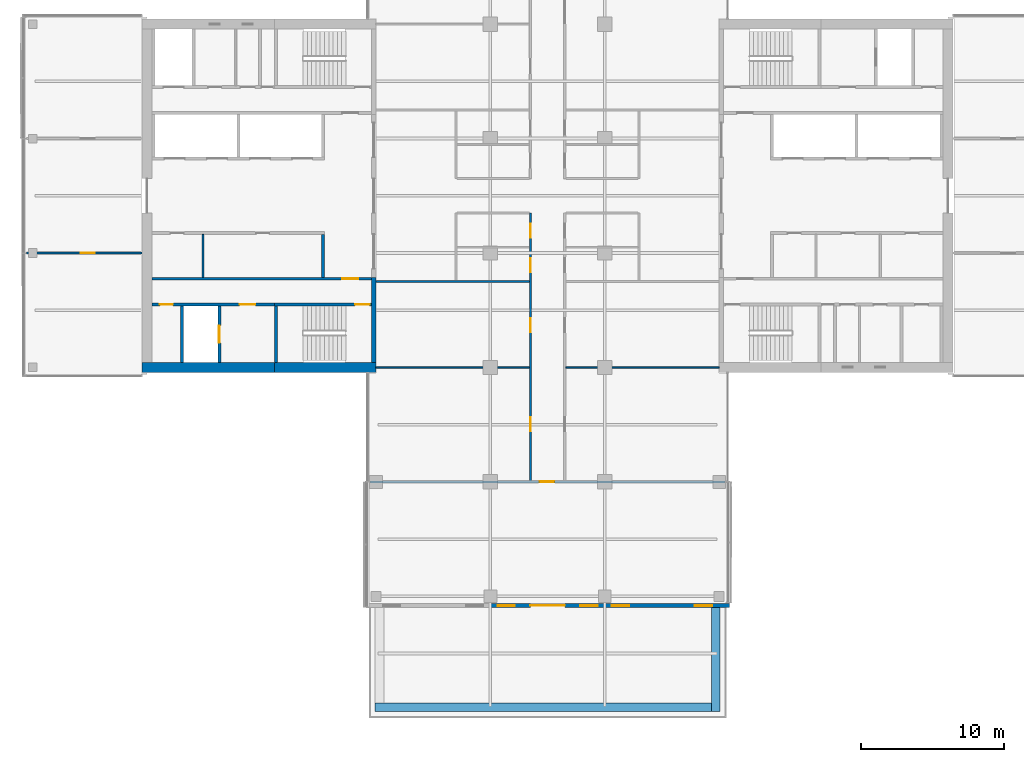
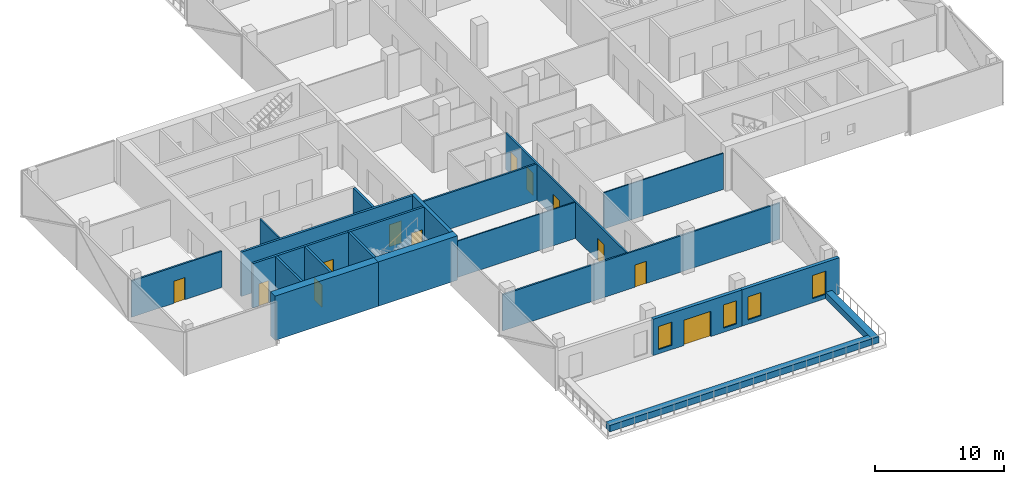
# One storey, part 15 of 24: 21 walls, 12 doors, 4 windows, 16 openings.
"""IFC4 building model written with IfcOpenShell, lengths in metres."""

from ifc_helpers import new_model, si_unit, direction, frame, frame_2d, origin, place, context, subcontext, project, spatial, rectangle, extrude, material, layer, layer_set, constituent, constituent_set, type_object, element, fill, save


model = new_model("IFC4")

# Units and contexts
model_context = context("Model", 3, precision=1e-05, world=origin(), true_north=direction((0.0, 1.0)))
body_context = subcontext(model_context, "Body", "Model", "MODEL_VIEW")
ifc_project = project(units=[si_unit("LENGTHUNIT", "METRE"), si_unit("AREAUNIT", "SQUARE_METRE"), si_unit("VOLUMEUNIT", "CUBIC_METRE"), si_unit("PLANEANGLEUNIT", "RADIAN"), si_unit("MASSUNIT", "GRAM", prefix="KILO")], contexts=[model_context])

# Site, building, storey
site_placement = place(None, origin())
site = spatial("IfcSite", under=ifc_project, at=site_placement, CompositionType="ELEMENT")
building_placement = place(site_placement, origin())
building = spatial("IfcBuilding", under=site, at=building_placement, Name="Crosswind Convention Tower", CompositionType="ELEMENT")
storey_placement = place(building_placement, frame((0.0, 0.0, 112.699951171875)))
storey = spatial("IfcBuildingStorey", under=building, at=storey_placement, Name="L22", CompositionType="ELEMENT", Elevation=112.699951171875)

# Walls
ifc_material_1 = material(Name="Concrete C50/60", Category="concrete")
ifc_layer_1 = layer(ifc_material_1, 0.300048828125)
ifc_layer_set_1 = layer_set([ifc_layer_1], Name="Concrete C50/60")
wall_type_1 = type_object("IfcWallType", Name="Concrete inner core wall 300", PredefinedType="SHEAR", material=ifc_layer_set_1)
wall_1_placement = place(storey_placement, frame((112.85009765625, 94.300048828125, 0.0), z_axis=(0.0, 0.0, 1.0), x_axis=(0.0, -1.0, 0.0)))
element("IfcWall", 1, at=wall_1_placement, inside=storey, type_object=wall_type_1, Name="Wall EP W L22", PredefinedType="SHEAR", context=body_context, shape_type="SweptSolid", body=[
    extrude(rectangle(XDim=5.949951171875, YDim=0.300048828125, at=frame_2d((2.97509765625, 0.0))), origin(), (0.0, 0.0, 1.0), 4.199951171875),
])
ifc_layer_2 = layer(ifc_material_1, 0.199951171875)
ifc_layer_set_2 = layer_set([ifc_layer_2], Name="Concrete C50/60")
wall_type_2 = type_object("IfcWallType", Name="Concrete shaft and stair wall 200", PredefinedType="SHEAR", material=ifc_layer_set_2)
wall_2_placement = place(storey_placement, frame((109.300048828125, 97.300048828125, 0.0), z_axis=(0.0, 0.0, 1.0), x_axis=(0.0, -1.0, 0.0)))
element("IfcWall", 2, at=wall_2_placement, inside=storey, type_object=wall_type_2, Name="Wall RPEND W L22", PredefinedType="SHEAR", context=body_context, shape_type="SweptSolid", body=[
    extrude(rectangle(XDim=3.0, YDim=0.199951171875, at=frame_2d((1.5, 0.0))), origin(), (0.0, 0.0, 1.0), 4.199951171875),
])

# Wall, opening, door
wall_3_placement = place(storey_placement, frame((112.699951171875, 94.199951171875, 0.0), z_axis=(0.0, 0.0, 1.0), x_axis=(-1.0, 0.0, 0.0)))
wall_3 = element("IfcWall", 3, at=wall_3_placement, inside=storey, type_object=wall_type_2, Name="Wall HP W L22", PredefinedType="SHEAR", context=body_context, shape_type="SweptSolid", body=[
    extrude(rectangle(XDim=15.349853515625, YDim=0.199951171875, at=frame_2d((7.6748046875, 0.0))), origin(), (0.0, 0.0, 1.0), 4.199951171875),
])
opening_1_placement = place(wall_3_placement, frame((0.949951171875, 0.0, 0.0)))
opening_1 = element("IfcOpeningElement", 4, at=opening_1_placement, cuts=wall_3, Name="Opening D104", PredefinedType="OPENING", context=body_context, shape_type="SweptSolid", body=[
    extrude(rectangle(XDim=1.10009765625, YDim=2.10009765625, at=frame_2d((0.550048828125, 1.050048828125))), frame((0.0, 0.10986328125, 0.0), z_axis=(0.0, -1.0, 0.0), x_axis=(1.0, 0.0, 0.0)), (0.0, 0.0, 1.0), 0.219970703125),
])
ifc_material_2 = material(Name="Steel fire door", Category="steel")
door_type_1 = type_object("IfcDoorType", Name="Fire-rated single door 1100x2100", OperationType="NOTDEFINED", PredefinedType="DOOR", material=ifc_material_2)
door_1_placement = place(opening_1_placement, origin())
door_1 = element("IfcDoor", 5, at=door_1_placement, inside=storey, type_object=door_type_1, Name="Corridor door L22", ObjectType="D104", OperationType="SINGLE_SWING_LEFT", OverallHeight=2.10009765625, OverallWidth=1.10009765625, PredefinedType="DOOR", context=body_context, shape_type="SweptSolid", body=[
    extrude(rectangle(XDim=1.10009765625, YDim=2.10009765625, at=frame_2d((0.550048828125, 1.050048828125))), frame((0.0, 0.02490234375, 0.0), z_axis=(0.0, -1.0, 0.0), x_axis=(1.0, 0.0, 0.0)), (0.0, 0.0, 1.0), 0.050048828125),
])
fill(opening_1, door_1)

# Wall
wall_4_placement = place(storey_placement, frame((106.0, 92.300048828125, 0.0), z_axis=(0.0, 0.0, 1.0), x_axis=(0.0, -1.0, 0.0)))
element("IfcWall", 6, at=wall_4_placement, inside=storey, type_object=wall_type_2, Name="Wall PSE W L22", PredefinedType="SHEAR", context=body_context, shape_type="SweptSolid", body=[
    extrude(rectangle(XDim=3.949951171875, YDim=0.199951171875, at=frame_2d((1.97509765625, 0.0))), origin(), (0.0, 0.0, 1.0), 4.199951171875),
])

# Wall, opening, door
wall_5_placement = place(storey_placement, frame((102.050048828125, 92.300048828125, 0.0), z_axis=(0.0, 0.0, 1.0), x_axis=(0.0, -1.0, 0.0)))
wall_5 = element("IfcWall", 7, at=wall_5_placement, inside=storey, type_object=wall_type_2, Name="Wall PFLW W L22", PredefinedType="SHEAR", context=body_context, shape_type="SweptSolid", body=[
    extrude(rectangle(XDim=3.949951171875, YDim=0.199951171875, at=frame_2d((1.97509765625, 0.0))), origin(), (0.0, 0.0, 1.0), 4.199951171875),
])
opening_2_placement = place(wall_5_placement, frame((1.375, 0.0, 0.0)))
opening_2 = element("IfcOpeningElement", 8, at=opening_2_placement, cuts=wall_5, Name="Opening LD1", PredefinedType="OPENING", context=body_context, shape_type="SweptSolid", body=[
    extrude(rectangle(XDim=1.199951171875, YDim=2.10009765625, at=frame_2d((0.60009765625, 1.050048828125))), frame((0.0, 0.10986328125, 0.0), z_axis=(0.0, -1.0, 0.0), x_axis=(1.0, 0.0, 0.0)), (0.0, 0.0, 1.0), 0.219970703125),
])
ifc_material_3 = material(Name="Stainless steel", Category="steel")
door_type_2 = type_object("IfcDoorType", Name="Lift landing door 1200x2100", OperationType="DOUBLE_DOOR_SLIDING", PredefinedType="DOOR", material=ifc_material_3)
door_2_placement = place(opening_2_placement, origin())
door_2 = element("IfcDoor", 9, at=door_2_placement, inside=storey, type_object=door_type_2, Name="Landing door FF2 L22", ObjectType="LD1", OperationType="DOUBLE_DOOR_SLIDING", OverallHeight=2.10009765625, OverallWidth=1.199951171875, PredefinedType="DOOR", context=body_context, shape_type="SweptSolid", body=[
    extrude(rectangle(XDim=1.199951171875, YDim=2.10009765625, at=frame_2d((0.60009765625, 1.050048828125))), frame((0.0, 0.02490234375, 0.0), z_axis=(0.0, -1.0, 0.0), x_axis=(1.0, 0.0, 0.0)), (0.0, 0.0, 1.0), 0.050048828125),
])
fill(opening_2, door_2)

# Wall
wall_6_placement = place(storey_placement, frame((99.449951171875, 92.300048828125, 0.0), z_axis=(0.0, 0.0, 1.0), x_axis=(0.0, -1.0, 0.0)))
element("IfcWall", 10, at=wall_6_placement, inside=storey, type_object=wall_type_2, Name="Wall PFSE W L22", PredefinedType="SHEAR", context=body_context, shape_type="SweptSolid", body=[
    extrude(rectangle(XDim=3.949951171875, YDim=0.199951171875, at=frame_2d((1.97509765625, 0.0))), origin(), (0.0, 0.0, 1.0), 4.199951171875),
])

# Wall, opening, door
wall_7_placement = place(storey_placement, frame((112.699951171875, 92.39990234375, 0.0), z_axis=(0.0, 0.0, 1.0), x_axis=(-1.0, 0.0, 0.0)))
wall_7 = element("IfcWall", 11, at=wall_7_placement, inside=storey, type_object=wall_type_2, Name="Wall PCW W L22", PredefinedType="SHEAR", context=body_context, shape_type="SweptSolid", body=[
    extrude(rectangle(XDim=6.800048828125, YDim=0.199951171875, at=frame_2d((3.39990234375, 0.0))), origin(), (0.0, 0.0, 1.0), 4.199951171875),
])
opening_3_placement = place(wall_7_placement, frame((0.14990234375, 0.0, 0.0)))
opening_3 = element("IfcOpeningElement", 12, at=opening_3_placement, cuts=wall_7, Name="Opening D103", PredefinedType="OPENING", context=body_context, shape_type="SweptSolid", body=[
    extrude(rectangle(XDim=1.0, YDim=2.10009765625, at=frame_2d((0.5, 1.050048828125))), frame((0.0, 0.10986328125, 0.0), z_axis=(0.0, -1.0, 0.0), x_axis=(1.0, 0.0, 0.0)), (0.0, 0.0, 1.0), 0.219970703125),
])
door_type_3 = type_object("IfcDoorType", Name="Fire-rated single door 1000x2100", OperationType="NOTDEFINED", PredefinedType="DOOR", material=ifc_material_2)
door_3_placement = place(opening_3_placement, origin())
door_3 = element("IfcDoor", 13, at=door_3_placement, inside=storey, type_object=door_type_3, Name="Stair ST3 door L22", ObjectType="D103", OperationType="SINGLE_SWING_LEFT", OverallHeight=2.10009765625, OverallWidth=1.0, PredefinedType="DOOR", context=body_context, shape_type="SweptSolid", body=[
    extrude(rectangle(XDim=1.0, YDim=2.10009765625, at=frame_2d((0.5, 1.050048828125))), frame((0.0, 0.02490234375, 0.0), z_axis=(0.0, -1.0, 0.0), x_axis=(1.0, 0.0, 0.0)), (0.0, 0.0, 1.0), 0.050048828125),
])
fill(opening_3, door_3)

# Wall, openings, doors
wall_8_placement = place(storey_placement, frame((105.89990234375, 92.39990234375, 0.0), z_axis=(0.0, 0.0, 1.0), x_axis=(-1.0, 0.0, 0.0)))
wall_8 = element("IfcWall", 14, at=wall_8_placement, inside=storey, type_object=wall_type_2, Name="Wall PCX W L22", PredefinedType="SHEAR", context=body_context, shape_type="SweptSolid", body=[
    extrude(rectangle(XDim=8.5498046875, YDim=0.199951171875, at=frame_2d((4.27490234375, 0.0))), origin(), (0.0, 0.0, 1.0), 4.199951171875),
])
opening_4_placement = place(wall_8_placement, frame((1.324951171875, 0.0, 0.0)))
opening_4 = element("IfcOpeningElement", 15, at=opening_4_placement, cuts=wall_8, Name="Opening D104", PredefinedType="OPENING", context=body_context, shape_type="SweptSolid", body=[
    extrude(rectangle(XDim=1.10009765625, YDim=2.10009765625, at=frame_2d((0.550048828125, 1.050048828125))), frame((0.0, 0.10986328125, 0.0), z_axis=(0.0, -1.0, 0.0), x_axis=(1.0, 0.0, 0.0)), (0.0, 0.0, 1.0), 0.219970703125),
])
opening_5_placement = place(wall_8_placement, frame((7.10009765625, 0.0, 0.0)))
opening_5 = element("IfcOpeningElement", 16, at=opening_5_placement, cuts=wall_8, Name="Opening D106", PredefinedType="OPENING", context=body_context, shape_type="SweptSolid", body=[
    extrude(rectangle(XDim=0.89990234375, YDim=2.10009765625, at=frame_2d((0.449951171875, 1.050048828125))), frame((0.0, 0.10986328125, 0.0), z_axis=(0.0, -1.0, 0.0), x_axis=(1.0, 0.0, 0.0)), (0.0, 0.0, 1.0), 0.219970703125),
])
door_4_placement = place(opening_4_placement, origin())
door_4 = element("IfcDoor", 17, at=door_4_placement, inside=storey, type_object=door_type_1, Name="Fire-fighting lobby FF2 door L22", ObjectType="D104", OperationType="SINGLE_SWING_RIGHT", OverallHeight=2.10009765625, OverallWidth=1.10009765625, PredefinedType="DOOR", context=body_context, shape_type="SweptSolid", body=[
    extrude(rectangle(XDim=1.10009765625, YDim=2.10009765625, at=frame_2d((0.550048828125, 1.050048828125))), frame((0.0, 0.02490234375, 0.0), z_axis=(0.0, -1.0, 0.0), x_axis=(1.0, 0.0, 0.0)), (0.0, 0.0, 1.0), 0.050048828125),
])
fill(opening_4, door_4)
ifc_material_4 = material(Name="Timber door", Category="wood")
door_type_4 = type_object("IfcDoorType", Name="Single leaf door 900x2100", OperationType="NOTDEFINED", PredefinedType="DOOR", material=ifc_material_4)
door_5_placement = place(opening_5_placement, origin())
door_5 = element("IfcDoor", 18, at=door_5_placement, inside=storey, type_object=door_type_4, Name="Door to comms room L22", ObjectType="D106", OperationType="SINGLE_SWING_RIGHT", OverallHeight=2.10009765625, OverallWidth=0.89990234375, PredefinedType="DOOR", context=body_context, shape_type="SweptSolid", body=[
    extrude(rectangle(XDim=0.89990234375, YDim=2.10009765625, at=frame_2d((0.449951171875, 1.050048828125))), frame((0.0, 0.02490234375, 0.0), z_axis=(0.0, -1.0, 0.0), x_axis=(1.0, 0.0, 0.0)), (0.0, 0.0, 1.0), 0.050048828125),
])
fill(opening_5, door_5)

# Walls
ifc_material_5 = material(Name="Gypsum plasterboard partition", Category="gypsum")
ifc_layer_3 = layer(ifc_material_5, 0.125)
ifc_layer_set_3 = layer_set([ifc_layer_3], Name="Drywall partition wall 125")
wall_type_3 = type_object("IfcWallType", Name="Drywall partition wall 125", PredefinedType="PARTITIONING", material=ifc_layer_set_3)
wall_9_placement = place(storey_placement, frame((100.905029296875, 97.300048828125, 0.0), z_axis=(0.0, 0.0, 1.0), x_axis=(0.0, -1.0, 0.0)))
element("IfcWall", 19, at=wall_9_placement, inside=storey, type_object=wall_type_3, Name="Wall RPP1 W L22", PredefinedType="PARTITIONING", context=body_context, shape_type="SweptSolid", body=[
    extrude(rectangle(XDim=3.0, YDim=0.125, at=frame_2d((1.5, 0.0))), origin(), (0.0, 0.0, 1.0), 4.199951171875),
])
ifc_material_6 = material(Name="Plasterboard partition", Category="gypsum")
ifc_layer_4 = layer(ifc_material_6, 0.10009765625)
ifc_layer_set_4 = layer_set([ifc_layer_4], Name="PARTITION 100 METAL STUD")
wall_type_4 = type_object("IfcWallType", Name="PARTITION 100 METAL STUD", PredefinedType="PARTITIONING", material=ifc_layer_set_4)
for number, where, z_axis, x_axis, name in (
    (20, (113.0, 88.0, 0.0), (0.0, 0.0, 1.0), (1.0, 0.0, 0.0), "Partition wall WT40"),
    (21, (126.27490234375, 88.0, 0.0), (0.0, 0.0, 1.0), (1.0, 0.0, 0.0), "Partition wall WT40"),
):
    element("IfcWall", number, at=place(storey_placement, frame(where, z_axis=z_axis, x_axis=x_axis)), inside=storey, type_object=wall_type_4, Name=name, PredefinedType="PARTITIONING", context=body_context, shape_type="SweptSolid", body=[
        extrude(rectangle(XDim=10.72509765625, YDim=0.10009765625, at=frame_2d((5.362548828125, 0.0))), origin(), (0.0, 0.0, 1.0), 3.4365234375),
    ])
ifc_material_7 = material(Name="Concrete C30/37", Category="concrete")
ifc_layer_5 = layer(ifc_material_7, 0.60009765625)
ifc_layer_set_5 = layer_set([ifc_layer_5], Name="Concrete C30/37")
wall_type_5 = type_object("IfcWallType", Name="PLANTER BOX WALL 600", PredefinedType="SOLIDWALL", material=ifc_layer_set_5)
wall_10_placement = place(storey_placement, frame((136.75, 71.199951171875, 0.0), z_axis=(0.0, 0.0, 1.0), x_axis=(0.0, -1.0, 0.0)))
element("IfcWall", 22, at=wall_10_placement, inside=storey, type_object=wall_type_5, Name="PLANTER L22 S 1", PredefinedType="SOLIDWALL", context=body_context, shape_type="SweptSolid", body=[
    extrude(rectangle(XDim=7.25, YDim=0.60009765625, at=frame_2d((3.625, 0.0))), origin(), (0.0, 0.0, 1.0), 0.60009765625),
])
wall_11_placement = place(storey_placement, frame((136.449951171875, 64.25, 0.0), z_axis=(0.0, 0.0, 1.0), x_axis=(-1.0, 0.0, 0.0)))
element("IfcWall", 23, at=wall_11_placement, inside=storey, type_object=wall_type_5, Name="PLANTER L22 S 2", PredefinedType="SOLIDWALL", context=body_context, shape_type="SweptSolid", body=[
    extrude(rectangle(XDim=23.5, YDim=0.60009765625, at=frame_2d((11.75, 0.0))), origin(), (0.0, 0.0, 1.0), 0.60009765625),
])

# Wall, openings, doors
ifc_material_8 = material(Name="Fire-board partition with mineral wool", Category="gypsum")
ifc_layer_6 = layer(ifc_material_8, 0.14990234375)
ifc_layer_set_6 = layer_set([ifc_layer_6], Name="TENANCY WALL 150 TWO-HOUR BOARD")
wall_type_6 = type_object("IfcWallType", Name="TENANCY WALL 150 TWO-HOUR BOARD", PredefinedType="PARTITIONING", material=ifc_layer_set_6)
wall_12_placement = place(storey_placement, frame((123.800048828125, 80.074951171875, 0.0), z_axis=(0.0, 0.0, 1.0), x_axis=(0.0, 1.0, 0.0)))
wall_12 = element("IfcWall", 24, at=wall_12_placement, inside=storey, type_object=wall_type_6, Name="Tenancy wall WT41", PredefinedType="PARTITIONING", context=body_context, shape_type="SweptSolid", body=[
    extrude(rectangle(XDim=18.72509765625, YDim=0.14990234375, at=frame_2d((9.362548828125, 0.0))), origin(), (0.0, 0.0, 1.0), 3.4365234375),
])
opening_6_placement = place(wall_12_placement, frame((16.97509765625, 0.0, 0.0)))
opening_6 = element("IfcOpeningElement", 25, at=opening_6_placement, cuts=wall_12, Name="Opening L22-61", PredefinedType="OPENING", context=body_context, shape_type="SweptSolid", body=[
    extrude(rectangle(XDim=1.0, YDim=2.10009765625, at=frame_2d((0.5, 1.050048828125))), frame((0.0, 0.0849609375, 0.0), z_axis=(0.0, -1.0, 0.0), x_axis=(1.0, 0.0, 0.0)), (0.0, 0.0, 1.0), 0.169921875),
])
opening_7_placement = place(wall_12_placement, frame((14.574951171875, 0.0, 0.0)))
opening_7 = element("IfcOpeningElement", 26, at=opening_7_placement, cuts=wall_12, Name="Opening L22-62", PredefinedType="OPENING", context=body_context, shape_type="SweptSolid", body=[
    extrude(rectangle(XDim=1.0, YDim=2.10009765625, at=frame_2d((0.5, 1.050048828125))), frame((0.0, 0.0849609375, 0.0), z_axis=(0.0, -1.0, 0.0), x_axis=(1.0, 0.0, 0.0)), (0.0, 0.0, 1.0), 0.169921875),
])
opening_8_placement = place(wall_12_placement, frame((10.375, 0.0, 0.0)))
opening_8 = element("IfcOpeningElement", 27, at=opening_8_placement, cuts=wall_12, Name="Opening L22-63", PredefinedType="OPENING", context=body_context, shape_type="SweptSolid", body=[
    extrude(rectangle(XDim=1.0, YDim=2.10009765625, at=frame_2d((0.5, 1.050048828125))), frame((0.0, 0.0849609375, 0.0), z_axis=(0.0, -1.0, 0.0), x_axis=(1.0, 0.0, 0.0)), (0.0, 0.0, 1.0), 0.169921875),
])
opening_9_placement = place(wall_12_placement, frame((3.449951171875, 0.0, 0.0)))
opening_9 = element("IfcOpeningElement", 28, at=opening_9_placement, cuts=wall_12, Name="Opening L22-64", PredefinedType="OPENING", context=body_context, shape_type="SweptSolid", body=[
    extrude(rectangle(XDim=1.0, YDim=2.10009765625, at=frame_2d((0.5, 1.050048828125))), frame((0.0, 0.0849609375, 0.0), z_axis=(0.0, -1.0, 0.0), x_axis=(1.0, 0.0, 0.0)), (0.0, 0.0, 1.0), 0.169921875),
])
ifc_material_9 = material(Name="Timber fire door", Category="wood")
door_type_5 = type_object("IfcDoorType", Name="TENANCY ENTRANCE DOOR 1000X2100 FD30S", OperationType="NOTDEFINED", PredefinedType="DOOR", material=ifc_material_9)
door_6_placement = place(opening_6_placement, origin())
door_6 = element("IfcDoor", 29, at=door_6_placement, inside=storey, type_object=door_type_5, Name="Door L22-61", ObjectType="D41", OperationType="SINGLE_SWING_LEFT", OverallHeight=2.10009765625, OverallWidth=1.0, PredefinedType="DOOR", context=body_context, shape_type="SweptSolid", body=[
    extrude(rectangle(XDim=1.0, YDim=2.10009765625, at=frame_2d((0.5, 1.050048828125))), frame((0.0, 0.02490234375, 0.0), z_axis=(0.0, -1.0, 0.0), x_axis=(1.0, 0.0, 0.0)), (0.0, 0.0, 1.0), 0.050048828125),
])
fill(opening_6, door_6)
door_7_placement = place(opening_7_placement, origin())
door_7 = element("IfcDoor", 30, at=door_7_placement, inside=storey, type_object=door_type_5, Name="Door L22-62", ObjectType="D41", OperationType="SINGLE_SWING_LEFT", OverallHeight=2.10009765625, OverallWidth=1.0, PredefinedType="DOOR", context=body_context, shape_type="SweptSolid", body=[
    extrude(rectangle(XDim=1.0, YDim=2.10009765625, at=frame_2d((0.5, 1.050048828125))), frame((0.0, 0.02490234375, 0.0), z_axis=(0.0, -1.0, 0.0), x_axis=(1.0, 0.0, 0.0)), (0.0, 0.0, 1.0), 0.050048828125),
])
fill(opening_7, door_7)
door_8_placement = place(opening_8_placement, origin())
door_8 = element("IfcDoor", 31, at=door_8_placement, inside=storey, type_object=door_type_5, Name="Door L22-63", ObjectType="D41", OperationType="SINGLE_SWING_LEFT", OverallHeight=2.10009765625, OverallWidth=1.0, PredefinedType="DOOR", context=body_context, shape_type="SweptSolid", body=[
    extrude(rectangle(XDim=1.0, YDim=2.10009765625, at=frame_2d((0.5, 1.050048828125))), frame((0.0, 0.02490234375, 0.0), z_axis=(0.0, -1.0, 0.0), x_axis=(1.0, 0.0, 0.0)), (0.0, 0.0, 1.0), 0.050048828125),
])
fill(opening_8, door_8)
door_9_placement = place(opening_9_placement, origin())
door_9 = element("IfcDoor", 32, at=door_9_placement, inside=storey, type_object=door_type_5, Name="Door L22-64", ObjectType="D41", OperationType="SINGLE_SWING_RIGHT", OverallHeight=2.10009765625, OverallWidth=1.0, PredefinedType="DOOR", context=body_context, shape_type="SweptSolid", body=[
    extrude(rectangle(XDim=1.0, YDim=2.10009765625, at=frame_2d((0.5, 1.050048828125))), frame((0.0, 0.02490234375, 0.0), z_axis=(0.0, -1.0, 0.0), x_axis=(1.0, 0.0, 0.0)), (0.0, 0.0, 1.0), 0.050048828125),
])
fill(opening_9, door_9)

# Wall, opening, door
wall_13_placement = place(storey_placement, frame((112.580078125, 80.0, 0.0), z_axis=(0.0, 0.0, 1.0), x_axis=(1.0, 0.0, 0.0)))
wall_13 = element("IfcWall", 33, at=wall_13_placement, inside=storey, type_object=wall_type_6, Name="Tenancy wall WT41", PredefinedType="PARTITIONING", context=body_context, shape_type="SweptSolid", body=[
    extrude(rectangle(XDim=24.83984375, YDim=0.14990234375, at=frame_2d((12.419921875, 0.0))), origin(), (0.0, 0.0, 1.0), 3.4365234375),
])
opening_10_placement = place(wall_13_placement, frame((11.8701171875, 0.0, 0.0)))
opening_10 = element("IfcOpeningElement", 34, at=opening_10_placement, cuts=wall_13, Name="Opening L22-67", PredefinedType="OPENING", context=body_context, shape_type="SweptSolid", body=[
    extrude(rectangle(XDim=1.0, YDim=2.10009765625, at=frame_2d((0.5, 1.050048828125))), frame((0.0, 0.0849609375, 0.0), z_axis=(0.0, -1.0, 0.0), x_axis=(1.0, 0.0, 0.0)), (0.0, 0.0, 1.0), 0.169921875),
])
door_10_placement = place(opening_10_placement, frame((1.0, 0.0, 0.0), z_axis=(0.0, 0.0, 1.0), x_axis=(-1.0, 0.0, 0.0)))
door_10 = element("IfcDoor", 35, at=door_10_placement, inside=storey, type_object=door_type_5, Name="Door L22-67", ObjectType="D41", OperationType="SINGLE_SWING_RIGHT", OverallHeight=2.10009765625, OverallWidth=1.0, PredefinedType="DOOR", context=body_context, shape_type="SweptSolid", body=[
    extrude(rectangle(XDim=1.0, YDim=2.10009765625, at=frame_2d((0.5, 1.050048828125))), frame((0.0, 0.02490234375, 0.0), z_axis=(0.0, -1.0, 0.0), x_axis=(1.0, 0.0, 0.0)), (0.0, 0.0, 1.0), 0.050048828125),
])
fill(opening_10, door_10)

# Wall
wall_14_placement = place(storey_placement, frame((113.0, 94.0, 0.0), z_axis=(0.0, 0.0, 1.0), x_axis=(1.0, 0.0, 0.0)))
element("IfcWall", 36, at=wall_14_placement, inside=storey, type_object=wall_type_6, Name="Tenancy wall WT41", PredefinedType="PARTITIONING", context=body_context, shape_type="SweptSolid", body=[
    extrude(rectangle(XDim=10.72509765625, YDim=0.14990234375, at=frame_2d((5.362548828125, 0.0))), origin(), (0.0, 0.0, 1.0), 3.4365234375),
])

# Wall, opening, door
wall_15_placement = place(storey_placement, frame((88.580078125, 96.0, 0.0), z_axis=(0.0, 0.0, 1.0), x_axis=(1.0, 0.0, 0.0)))
wall_15 = element("IfcWall", 37, at=wall_15_placement, inside=storey, type_object=wall_type_6, Name="Tenancy wall WT41", PredefinedType="PARTITIONING", context=body_context, shape_type="SweptSolid", body=[
    extrude(rectangle(XDim=8.06982421875, YDim=0.14990234375, at=frame_2d((4.034912109375, 0.0))), origin(), (0.0, 0.0, 1.0), 3.4365234375),
])
opening_11_placement = place(wall_15_placement, frame((3.77001953125, 0.0, 0.0)))
opening_11 = element("IfcOpeningElement", 38, at=opening_11_placement, cuts=wall_15, Name="Opening L22-71", PredefinedType="OPENING", context=body_context, shape_type="SweptSolid", body=[
    extrude(rectangle(XDim=1.0, YDim=2.10009765625, at=frame_2d((0.5, 1.050048828125))), frame((0.0, 0.0849609375, 0.0), z_axis=(0.0, -1.0, 0.0), x_axis=(1.0, 0.0, 0.0)), (0.0, 0.0, 1.0), 0.169921875),
])
door_11_placement = place(opening_11_placement, frame((1.0, 0.0, 0.0), z_axis=(0.0, 0.0, 1.0), x_axis=(-1.0, 0.0, 0.0)))
door_11 = element("IfcDoor", 39, at=door_11_placement, inside=storey, type_object=door_type_5, Name="Door L22-71", ObjectType="D41", OperationType="SINGLE_SWING_RIGHT", OverallHeight=2.10009765625, OverallWidth=1.0, PredefinedType="DOOR", context=body_context, shape_type="SweptSolid", body=[
    extrude(rectangle(XDim=1.0, YDim=2.10009765625, at=frame_2d((0.5, 1.050048828125))), frame((0.0, 0.02490234375, 0.0), z_axis=(0.0, -1.0, 0.0), x_axis=(1.0, 0.0, 0.0)), (0.0, 0.0, 1.0), 0.050048828125),
])
fill(opening_11, door_11)

# Wall, openings, door, windows
ifc_material_10 = material(Name="Terracotta rainscreen", Category="ceramic")
ifc_layer_7 = layer(ifc_material_10, 0.02001953125)
ifc_material_11 = material(Name="Mineral wool insulation", Category="insulation")
ifc_layer_8 = layer(ifc_material_11, 0.10009765625)
ifc_material_12 = material(Name="Concrete blockwork", Category="masonry")
ifc_layer_9 = layer(ifc_material_12, 0.179931640625)
ifc_layer_set_7 = layer_set([ifc_layer_7, ifc_layer_8, ifc_layer_9], Name="TERRACOTTA INFILL WALL 300")
wall_type_7 = type_object("IfcWallType", Name="TERRACOTTA INFILL WALL 300", PredefinedType="SOLIDWALL", material=ifc_layer_set_7)
wall_16_placement = place(storey_placement, frame((121.0, 71.35009765625, 0.0), z_axis=(0.0, 0.0, 1.0), x_axis=(1.0, 0.0, 0.0)))
wall_16 = element("IfcWall", 40, at=wall_16_placement, inside=storey, type_object=wall_type_7, Name="Terrace front wall L22 S-TIP.1-2", PredefinedType="SOLIDWALL", context=body_context, shape_type="SweptSolid", body=[
    extrude(rectangle(XDim=8.0, YDim=0.300048828125, at=frame_2d((4.0, 0.0))), origin(), (0.0, 0.0, 1.0), 3.446533203125),
])
opening_12_placement = place(wall_16_placement, frame((2.800048828125, 0.0, 0.0)))
opening_12 = element("IfcOpeningElement", 41, at=opening_12_placement, cuts=wall_16, Name="Opening D140", PredefinedType="OPENING", context=body_context, shape_type="SweptSolid", body=[
    extrude(rectangle(XDim=2.39990234375, YDim=2.39990234375, at=frame_2d((1.199951171875, 1.199951171875))), frame((0.0, 0.159912109375, 0.0), z_axis=(0.0, -1.0, 0.0), x_axis=(1.0, 0.0, 0.0)), (0.0, 0.0, 1.0), 0.320068359375),
])
opening_13_placement = place(wall_16_placement, frame((0.5, 0.0, 0.39990234375)))
opening_13 = element("IfcOpeningElement", 42, at=opening_13_placement, cuts=wall_16, Name="Opening W10", PredefinedType="OPENING", context=body_context, shape_type="SweptSolid", body=[
    extrude(rectangle(XDim=1.199951171875, YDim=2.199951171875, at=frame_2d((0.60009765625, 1.10009765625))), frame((0.0, 0.159912109375, 0.0), z_axis=(0.0, -1.0, 0.0), x_axis=(1.0, 0.0, 0.0)), (0.0, 0.0, 1.0), 0.320068359375),
])
opening_14_placement = place(wall_16_placement, frame((6.300048828125, 0.0, 0.39990234375)))
opening_14 = element("IfcOpeningElement", 43, at=opening_14_placement, cuts=wall_16, Name="Opening W10", PredefinedType="OPENING", context=body_context, shape_type="SweptSolid", body=[
    extrude(rectangle(XDim=1.199951171875, YDim=2.199951171875, at=frame_2d((0.60009765625, 1.10009765625))), frame((0.0, 0.159912109375, 0.0), z_axis=(0.0, -1.0, 0.0), x_axis=(1.0, 0.0, 0.0)), (0.0, 0.0, 1.0), 0.320068359375),
])
ifc_material_13 = material(Name="Aluminium glazed door", Category="aluminium")
door_type_6 = type_object("IfcDoorType", Name="GLAZED DOUBLE DOOR 2400X2400", OperationType="DOUBLE_DOOR_SINGLE_SWING", PredefinedType="DOOR", material=ifc_material_13)
door_12_placement = place(opening_12_placement, frame((2.39990234375, 0.0, 0.0), z_axis=(0.0, 0.0, 1.0), x_axis=(-1.0, 0.0, 0.0)))
door_12 = element("IfcDoor", 44, at=door_12_placement, inside=storey, type_object=door_type_6, Name="D140 terrace door L22 S-TIP.1-2", ObjectType="D140", OperationType="DOUBLE_DOOR_SINGLE_SWING", OverallHeight=2.39990234375, OverallWidth=2.39990234375, PredefinedType="DOOR", context=body_context, shape_type="SweptSolid", body=[
    extrude(rectangle(XDim=2.39990234375, YDim=2.39990234375, at=frame_2d((1.199951171875, 1.199951171875))), frame((0.0, 0.02490234375, 0.0), z_axis=(0.0, -1.0, 0.0), x_axis=(1.0, 0.0, 0.0)), (0.0, 0.0, 1.0), 0.050048828125),
])
fill(opening_12, door_12)
ifc_material_14 = material(Name="Aluminium window", Category="aluminium")
window_type = type_object("IfcWindowType", Name="TERRACE FRONT WINDOW 1200X2200", PartitioningType="SINGLE_PANEL", PredefinedType="WINDOW", material=ifc_material_14)
window_1_placement = place(opening_13_placement, origin())
window_1 = element("IfcWindow", 45, at=window_1_placement, inside=storey, type_object=window_type, Name="W10 terrace window L22 S-TIP.1-2.1", ObjectType="W10", OverallHeight=2.199951171875, OverallWidth=1.199951171875, PartitioningType="SINGLE_PANEL", PredefinedType="WINDOW", context=body_context, shape_type="SweptSolid", body=[
    extrude(rectangle(XDim=1.199951171875, YDim=2.199951171875, at=frame_2d((0.60009765625, 1.10009765625))), frame((0.0, 0.030029296875, 0.0), z_axis=(0.0, -1.0, 0.0), x_axis=(1.0, 0.0, 0.0)), (0.0, 0.0, 1.0), 0.06005859375),
])
fill(opening_13, window_1)
window_2_placement = place(opening_14_placement, origin())
window_2 = element("IfcWindow", 46, at=window_2_placement, inside=storey, type_object=window_type, Name="W10 terrace window L22 S-TIP.1-2.2", ObjectType="W10", OverallHeight=2.199951171875, OverallWidth=1.199951171875, PartitioningType="SINGLE_PANEL", PredefinedType="WINDOW", context=body_context, shape_type="SweptSolid", body=[
    extrude(rectangle(XDim=1.199951171875, YDim=2.199951171875, at=frame_2d((0.60009765625, 1.10009765625))), frame((0.0, 0.030029296875, 0.0), z_axis=(0.0, -1.0, 0.0), x_axis=(1.0, 0.0, 0.0)), (0.0, 0.0, 1.0), 0.06005859375),
])
fill(opening_14, window_2)

# Wall, openings, windows
wall_17_placement = place(storey_placement, frame((129.0, 71.35009765625, 0.0), z_axis=(0.0, 0.0, 1.0), x_axis=(1.0, 0.0, 0.0)))
wall_17 = element("IfcWall", 47, at=wall_17_placement, inside=storey, type_object=wall_type_7, Name="Terrace front wall L22 S-TIP.1-3", PredefinedType="SOLIDWALL", context=body_context, shape_type="SweptSolid", body=[
    extrude(rectangle(XDim=8.719970703125, YDim=0.300048828125, at=frame_2d((4.35986328125, 0.0))), origin(), (0.0, 0.0, 1.0), 3.446533203125),
])
opening_15_placement = place(wall_17_placement, frame((0.5, 0.0, 0.39990234375)))
opening_15 = element("IfcOpeningElement", 48, at=opening_15_placement, cuts=wall_17, Name="Opening W10", PredefinedType="OPENING", context=body_context, shape_type="SweptSolid", body=[
    extrude(rectangle(XDim=1.199951171875, YDim=2.199951171875, at=frame_2d((0.60009765625, 1.10009765625))), frame((0.0, 0.159912109375, 0.0), z_axis=(0.0, -1.0, 0.0), x_axis=(1.0, 0.0, 0.0)), (0.0, 0.0, 1.0), 0.320068359375),
])
opening_16_placement = place(wall_17_placement, frame((6.300048828125, 0.0, 0.39990234375)))
opening_16 = element("IfcOpeningElement", 49, at=opening_16_placement, cuts=wall_17, Name="Opening W10", PredefinedType="OPENING", context=body_context, shape_type="SweptSolid", body=[
    extrude(rectangle(XDim=1.199951171875, YDim=2.199951171875, at=frame_2d((0.60009765625, 1.10009765625))), frame((0.0, 0.159912109375, 0.0), z_axis=(0.0, -1.0, 0.0), x_axis=(1.0, 0.0, 0.0)), (0.0, 0.0, 1.0), 0.320068359375),
])
window_3_placement = place(opening_15_placement, origin())
window_3 = element("IfcWindow", 50, at=window_3_placement, inside=storey, type_object=window_type, Name="W10 terrace window L22 S-TIP.1-3.1", ObjectType="W10", OverallHeight=2.199951171875, OverallWidth=1.199951171875, PartitioningType="SINGLE_PANEL", PredefinedType="WINDOW", context=body_context, shape_type="SweptSolid", body=[
    extrude(rectangle(XDim=1.199951171875, YDim=2.199951171875, at=frame_2d((0.60009765625, 1.10009765625))), frame((0.0, 0.030029296875, 0.0), z_axis=(0.0, -1.0, 0.0), x_axis=(1.0, 0.0, 0.0)), (0.0, 0.0, 1.0), 0.06005859375),
])
fill(opening_15, window_3)
window_4_placement = place(opening_16_placement, origin())
window_4 = element("IfcWindow", 51, at=window_4_placement, inside=storey, type_object=window_type, Name="W10 terrace window L22 S-TIP.1-3.2", ObjectType="W10", OverallHeight=2.199951171875, OverallWidth=1.199951171875, PartitioningType="SINGLE_PANEL", PredefinedType="WINDOW", context=body_context, shape_type="SweptSolid", body=[
    extrude(rectangle(XDim=1.199951171875, YDim=2.199951171875, at=frame_2d((0.60009765625, 1.10009765625))), frame((0.0, 0.030029296875, 0.0), z_axis=(0.0, -1.0, 0.0), x_axis=(1.0, 0.0, 0.0)), (0.0, 0.0, 1.0), 0.06005859375),
])
fill(opening_16, window_4)

# Walls
ifc_material_15 = material(Name="Concrete C60/75", Category="concrete")
ifc_constituent_1 = constituent(ifc_material_15, Name="Structure")
ifc_constituent_2 = constituent(ifc_material_10, Name="Facing")
ifc_constituent_set = constituent_set(constituents=[ifc_constituent_1, ifc_constituent_2], Name="Concrete C60/75, Terracotta rainscreen")
wall_type_8 = type_object("IfcWallType", Name="Terracotta rainscreen on concrete core wall 700", PredefinedType="SHEAR", material=ifc_constituent_set)
wall_18_placement = place(storey_placement, frame((113.0, 88.0, 0.0), z_axis=(0.0, 0.0, 1.0), x_axis=(-1.0, 0.0, 0.0)))
element("IfcWall", 52, at=wall_18_placement, inside=storey, type_object=wall_type_8, Name="Wall N1 W L22", PredefinedType="SHEAR", context=body_context, shape_type="SweptSolid", body=[
    extrude(rectangle(XDim=7.10009765625, YDim=0.699951171875, at=frame_2d((3.550048828125, 0.0))), origin(), (0.0, 0.0, 1.0), 4.199951171875),
])
wall_19_placement = place(storey_placement, frame((105.89990234375, 88.0, 0.0), z_axis=(0.0, 0.0, 1.0), x_axis=(-1.0, 0.0, 0.0)))
element("IfcWall", 53, at=wall_19_placement, inside=storey, type_object=wall_type_8, Name="Wall N2 W L22", PredefinedType="SHEAR", context=body_context, shape_type="SweptSolid", body=[
    extrude(rectangle(XDim=9.25, YDim=0.699951171875, at=frame_2d((4.625, 0.0))), origin(), (0.0, 0.0, 1.0), 4.199951171875),
])

save(model, "model.ifc")
